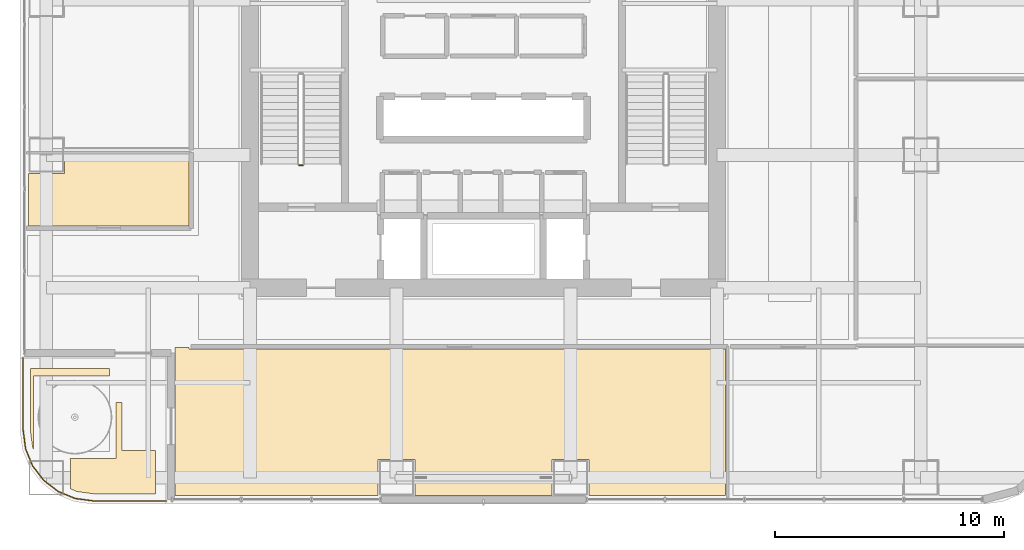
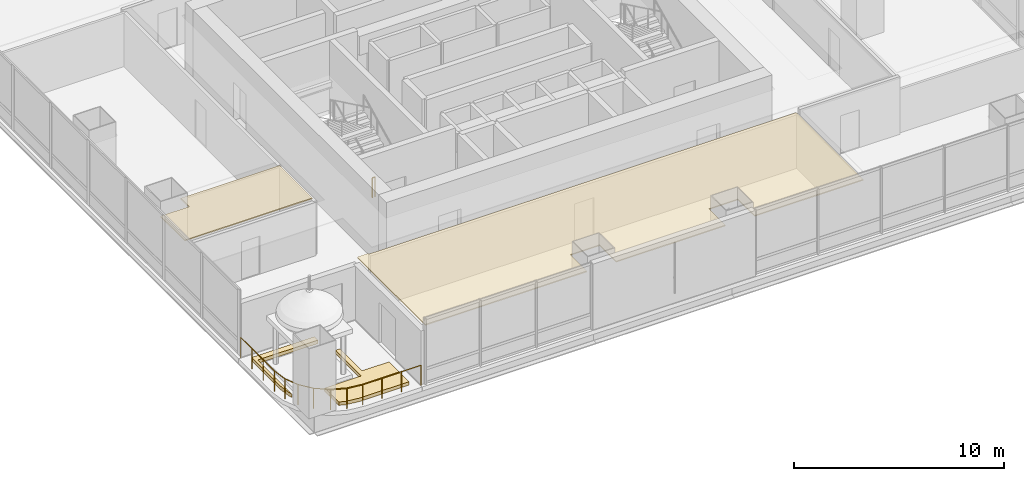
# One storey, part 30 of 37: 4 coverings, 2 railings.
"""IFC4 building model written with IfcOpenShell, lengths in metres."""

from ifc_helpers import new_model, si_unit, direction, frame, origin, origin_2d, place, context, subcontext, project, spatial, polyline, circle, outline, extrude, material, layer, layer_set, type_object, element, save


model = new_model("IFC4")

# Units and contexts
model_context = context("Model", 3, precision=1e-05, world=origin(), true_north=direction((0.0, 1.0)))
body_context = subcontext(model_context, "Body", "Model", "MODEL_VIEW")
ifc_project = project(units=[si_unit("LENGTHUNIT", "METRE"), si_unit("AREAUNIT", "SQUARE_METRE"), si_unit("VOLUMEUNIT", "CUBIC_METRE"), si_unit("PLANEANGLEUNIT", "RADIAN"), si_unit("MASSUNIT", "GRAM", prefix="KILO")], contexts=[model_context])

# Site, building, storey
site_placement = place(None, origin())
site = spatial("IfcSite", under=ifc_project, at=site_placement, CompositionType="ELEMENT")
building_placement = place(site_placement, origin())
building = spatial("IfcBuilding", under=site, at=building_placement, Name="Punatoya Terracotta Tower", CompositionType="ELEMENT")
storey_placement = place(building_placement, frame((0.0, 0.0, 109.199951171875)))
storey = spatial("IfcBuildingStorey", under=building, at=storey_placement, Name="L25", CompositionType="ELEMENT", Elevation=109.199951171875)

# Coverings
ifc_material_1 = material(Name="Acoustic Mineral Fibre Ceiling")
ifc_layer_1 = layer(ifc_material_1, 0.06005859375)
ifc_layer_set_1 = layer_set([ifc_layer_1], Name="Acoustic Mineral Fibre Ceiling")
covering_type_1 = type_object("IfcCoveringType", Name="COV-CEIL-60", PredefinedType="CEILING", material=ifc_layer_set_1)
covering_1_placement = place(storey_placement, frame((0.0, 0.0, 3.199951171875)))
element("IfcCovering", 1, at=covering_1_placement, inside=storey, type_object=covering_type_1, Name="L25 Open Workplace Studio Acoustic Ceiling", PredefinedType="CEILING", context=body_context, shape_type="SweptSolid", body=[
    extrude(outline(polyline([(-13.469970703125, -11.81005859375), (-13.469970703125, -18.27001953125), (-4.60009765625, -18.27001953125), (-4.60009765625, -16.699951171875), (-3.0, -16.699951171875), (-3.0, -18.27001953125), (3.0, -18.27001953125), (3.0, -16.699951171875), (4.60009765625, -16.699951171875), (4.60009765625, -18.27001953125), (10.573974609375, -18.27001953125), (10.573974609375, -11.8701171875), (-12.8701171875, -11.8701171875), (-12.8701171875, -11.81005859375), (-13.469970703125, -11.81005859375)])), origin(), (0.0, 0.0, 1.0), 0.06005859375),
])
covering_2_placement = place(storey_placement, frame((0.0, 0.0, 3.199951171875)))
element("IfcCovering", 2, at=covering_2_placement, inside=storey, type_object=covering_type_1, Name="L25 Open-Plan Client Strategy Boardroom Acoustic Ceiling", PredefinedType="CEILING", context=body_context, shape_type="SweptSolid", body=[
    extrude(outline(polyline([(-12.8701171875, -6.5), (-12.8701171875, -3.39404296875), (-18.300048828125, -3.39404296875), (-18.300048828125, -4.199951171875), (-19.8701171875, -4.199951171875), (-19.8701171875, -6.5), (-12.8701171875, -6.5)])), origin(), (0.0, 0.0, 1.0), 0.06005859375),
])
ifc_material_2 = material(Name="Green Roof Planting Soil Medium")
ifc_layer_2 = layer(ifc_material_2, 0.35009765625)
ifc_layer_set_2 = layer_set([ifc_layer_2], Name="Green Roof Planting Soil Medium")
covering_type_2 = type_object("IfcCoveringType", Name="COV-TER-350", PredefinedType="ROOFING", material=ifc_layer_set_2)
covering_3_placement = place(storey_placement, origin())
element("IfcCovering", 3, at=covering_3_placement, inside=storey, type_object=covering_type_2, Name="L25 SW Corner Sky-Court Terrace Planted Soil Bed 1", PredefinedType="ROOFING", context=body_context, shape_type="SweptSolid", body=[
    extrude(outline(polyline([(-19.64990234375, -16.28759765625), (-19.64990234375, -13.050048828125), (-16.35009765625, -13.050048828125), (-16.35009765625, -12.719970703125), (-19.800048828125, -12.719970703125), (-19.800048828125, -15.42041015625), (-19.70263671875, -16.16064453125), (-19.64990234375, -16.28759765625)])), origin(), (0.0, 0.0, 1.0), 0.199951171875),
])
covering_4_placement = place(storey_placement, origin())
element("IfcCovering", 4, at=covering_4_placement, inside=storey, type_object=covering_type_2, Name="L25 SW Corner Sky-Court Terrace Planted Soil Bed 2", PredefinedType="ROOFING", context=body_context, shape_type="SweptSolid", body=[
    extrude(outline(polyline([(-18.051513671875, -16.720703125), (-18.050048828125, -16.75), (-18.050048828125, -17.98291015625), (-17.7607421875, -18.1025390625), (-17.0205078125, -18.199951171875), (-14.320068359375, -18.199951171875), (-14.320068359375, -16.300048828125), (-15.800048828125, -16.300048828125), (-15.800048828125, -14.199951171875), (-16.050048828125, -14.199951171875), (-16.050048828125, -16.64990234375), (-18.0673828125, -16.64990234375), (-18.06298828125, -16.662841796875), (-18.055908203125, -16.69140625), (-18.051513671875, -16.720703125)])), origin(), (0.0, 0.0, 1.0), 0.199951171875),
])

# Railings
ifc_material_3 = material(Name="Steel S355", Category="steel")
railing_type_1 = type_object("IfcRailingType", Name="RLG-BAL-1200", PredefinedType="BALUSTRADE", material=ifc_material_3)
railing_1_placement = place(storey_placement, frame((-20.110107421875, -12.239990234375, 0.0)))
element("IfcRailing", 5, at=railing_1_placement, inside=storey, type_object=railing_type_1, Name="L25 SW Corner Sky-Court Terrace Guardrail", PredefinedType="BALUSTRADE", context=body_context, shape_type="SweptSolid", body=[
    extrude(circle(Radius=0.02392578125, at=origin_2d()), frame((0.0, 0.0, 1.17578125), z_axis=(0.0, -1.0, 0.0), x_axis=(1.0, 0.0, 0.0)), (0.0, 0.0, 1.0), 3.200927734375),
    extrude(circle(Radius=0.02392578125, at=origin_2d()), frame((0.0, -3.200927734375, 1.17578125), z_axis=(0.130579616175, -0.991437826512, 0.0), x_axis=(0.991437826512, 0.130579616175, 0.0)), (0.0, 0.0, 1.0), 0.8076171875),
    extrude(circle(Radius=0.02392578125, at=origin_2d()), frame((0.10546875, -4.001708984375, 1.17578125), z_axis=(0.382747782788, -0.923852875068, 0.0), x_axis=(0.923852875068, 0.382747782788, 0.0)), (0.0, 0.0, 1.0), 0.798583984375),
    extrude(circle(Radius=0.02392578125, at=origin_2d()), frame((0.4111328125, -4.739501953125, 1.17578125), z_axis=(0.608868017528, -0.793271540667, 0.0), x_axis=(0.793271540667, 0.608868017528, 0.0)), (0.0, 0.0, 1.0), 0.79833984375),
    extrude(circle(Radius=0.02392578125, at=origin_2d()), frame((0.897216796875, -5.372802734375, 1.17578125), z_axis=(0.793237218551, -0.608912731929, 0.0), x_axis=(0.608912731929, 0.793237218551, 0.0)), (0.0, 0.0, 1.0), 0.798583984375),
    extrude(circle(Radius=0.02392578125, at=origin_2d()), frame((1.53076171875, -5.859130859375, 1.17578125), z_axis=(0.923916202141, -0.382594892048, 0.0), x_axis=(0.382594892048, 0.923916202141, 0.0)), (0.0, 0.0, 1.0), 0.79833984375),
    extrude(circle(Radius=0.02392578125, at=origin_2d()), frame((2.268310546875, -6.16455078125, 1.17578125), z_axis=(0.991442978173, -0.130540495755, 0.0), x_axis=(0.130540495755, 0.991442978173, 0.0)), (0.0, 0.0, 1.0), 0.807861328125),
    extrude(circle(Radius=0.02392578125, at=origin_2d()), frame((3.0693359375, -6.27001953125, 1.17578125), z_axis=(1.0, 0.0, 0.0), x_axis=(0.0, 1.0, 0.0)), (0.0, 0.0, 1.0), 3.20068359375),
    extrude(circle(Radius=0.02099609375, at=origin_2d()), origin(), (0.0, 0.0, 1.0), 1.15185546875),
    extrude(circle(Radius=0.02099609375, at=origin_2d()), frame((0.0, -1.06689453125, 0.0)), (0.0, 0.0, 1.0), 1.15185546875),
    extrude(circle(Radius=0.02099609375, at=origin_2d()), frame((0.0, -2.134033203125, 0.0)), (0.0, 0.0, 1.0), 1.15185546875),
    extrude(circle(Radius=0.02099609375, at=origin_2d()), frame((0.0, -3.200927734375, 0.0)), (0.0, 0.0, 1.0), 1.15185546875),
    extrude(circle(Radius=0.02099609375, at=origin_2d()), frame((0.10546875, -4.001708984375, 0.0)), (0.0, 0.0, 1.0), 1.15185546875),
    extrude(circle(Radius=0.02099609375, at=origin_2d()), frame((0.4111328125, -4.739501953125, 0.0)), (0.0, 0.0, 1.0), 1.15185546875),
    extrude(circle(Radius=0.02099609375, at=origin_2d()), frame((0.897216796875, -5.372802734375, 0.0)), (0.0, 0.0, 1.0), 1.15185546875),
    extrude(circle(Radius=0.02099609375, at=origin_2d()), frame((1.53076171875, -5.859130859375, 0.0)), (0.0, 0.0, 1.0), 1.15185546875),
    extrude(circle(Radius=0.02099609375, at=origin_2d()), frame((2.268310546875, -6.16455078125, 0.0)), (0.0, 0.0, 1.0), 1.15185546875),
    extrude(circle(Radius=0.02099609375, at=origin_2d()), frame((3.0693359375, -6.27001953125, 0.0)), (0.0, 0.0, 1.0), 1.15185546875),
    extrude(circle(Radius=0.02099609375, at=origin_2d()), frame((4.13623046875, -6.27001953125, 0.0)), (0.0, 0.0, 1.0), 1.15185546875),
    extrude(circle(Radius=0.02099609375, at=origin_2d()), frame((5.203125, -6.27001953125, 0.0)), (0.0, 0.0, 1.0), 1.15185546875),
    extrude(circle(Radius=0.02099609375, at=origin_2d()), frame((6.27001953125, -6.27001953125, 0.0)), (0.0, 0.0, 1.0), 1.15185546875),
])
railing_type_2 = type_object("IfcRailingType", Name="RLG-GRD-1150", PredefinedType="GUARDRAIL", material=ifc_material_3)
railing_2_placement = place(storey_placement, frame((-7.89990234375, -3.85009765625, 0.0)))
element("IfcRailing", 6, at=railing_2_placement, inside=storey, type_object=railing_type_2, Name="L25 ST-1 stair guard 4", PredefinedType="GUARDRAIL", context=body_context, shape_type="SweptSolid", body=[
    extrude(circle(Radius=0.02392578125, at=origin_2d()), frame((0.0, 0.0, 1.1259765625), z_axis=(-1.0, 0.0, 0.0), x_axis=(0.0, -1.0, 0.0)), (0.0, 0.0, 1.0), 0.150146484375),
    extrude(circle(Radius=0.02099609375, at=origin_2d()), origin(), (0.0, 0.0, 1.0), 1.101806640625),
    extrude(circle(Radius=0.02099609375, at=origin_2d()), frame((-0.150146484375, 0.0, 0.0)), (0.0, 0.0, 1.0), 1.101806640625),
])

save(model, "model.ifc")
